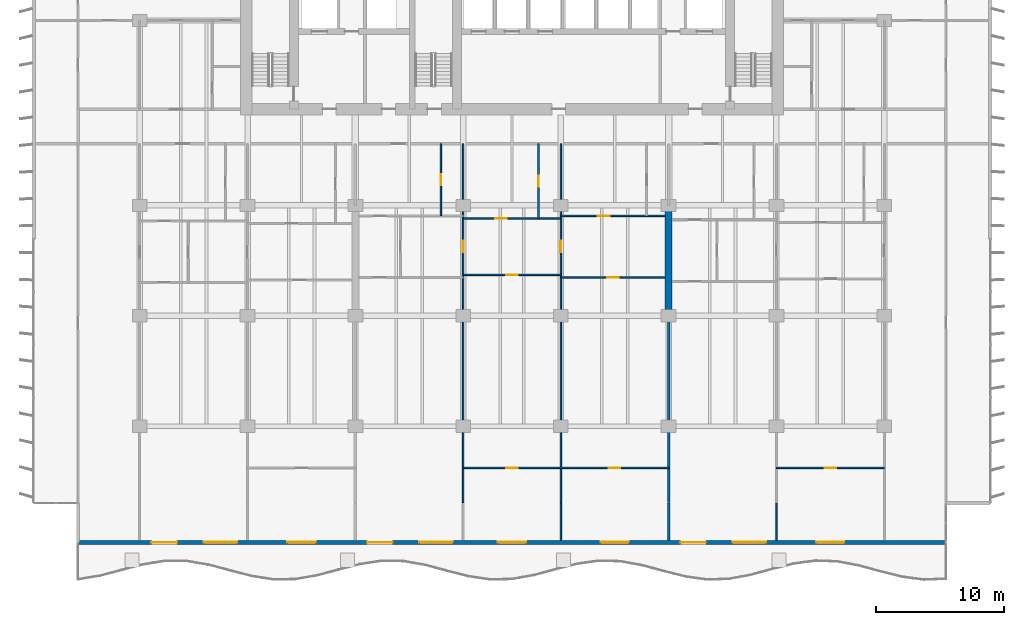
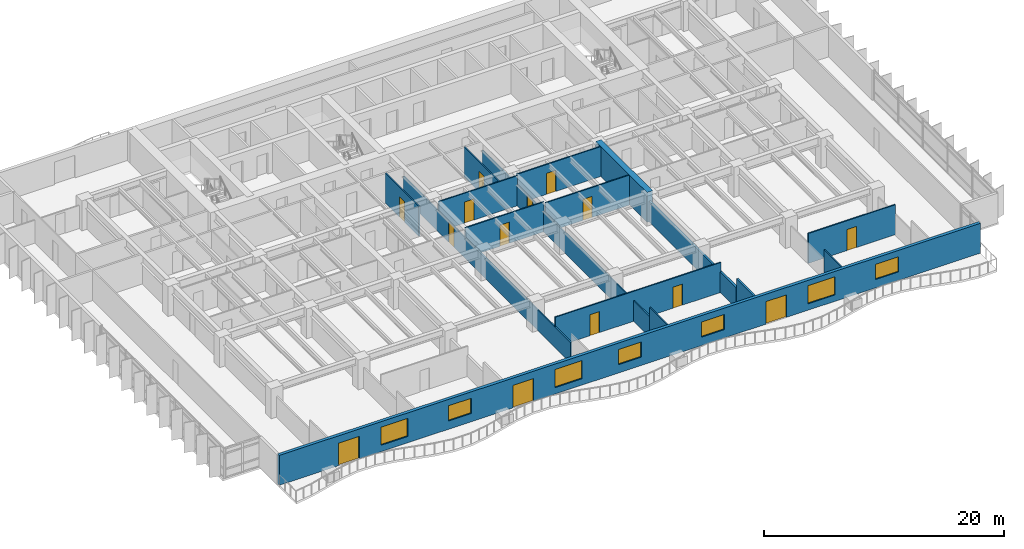
# One storey, part 7 of 16: 16 walls, 14 doors, 7 windows, 21 openings.
"""IFC4 building model written with IfcOpenShell, lengths in metres."""

from ifc_helpers import new_model, si_unit, direction, frame, frame_2d, origin, place, context, subcontext, project, spatial, rectangle, extrude, material, layer, layer_set, type_object, element, fill, save


model = new_model("IFC4")

# Units and contexts
model_context = context("Model", 3, precision=1e-05, world=origin(), true_north=direction((0.0, 1.0)))
body_context = subcontext(model_context, "Body", "Model", "MODEL_VIEW")
ifc_project = project(units=[si_unit("LENGTHUNIT", "METRE"), si_unit("AREAUNIT", "SQUARE_METRE"), si_unit("VOLUMEUNIT", "CUBIC_METRE"), si_unit("PLANEANGLEUNIT", "RADIAN"), si_unit("MASSUNIT", "GRAM", prefix="KILO")], contexts=[model_context])

# Site, building, storey
site_placement = place(None, origin())
site = spatial("IfcSite", under=ifc_project, at=site_placement, CompositionType="ELEMENT")
building_placement = place(site_placement, origin())
building = spatial("IfcBuilding", under=site, at=building_placement, Name="Caelmar Bay Residences", CompositionType="ELEMENT")
storey_placement = place(building_placement, frame((0.0, 0.0, 72.89990234375)))
storey = spatial("IfcBuildingStorey", under=building, at=storey_placement, Name="L19", CompositionType="ELEMENT", Elevation=72.89990234375)

# Wall
ifc_material_1 = material(Name="Concrete f'c 70 MPa (10,000 psi)", Category="concrete")
ifc_layer_1 = layer(ifc_material_1, 0.550048828125)
ifc_layer_set_1 = layer_set([ifc_layer_1], Name="Concrete f'c 70 MPa (10,000 psi)")
wall_type_1 = type_object("IfcWallType", Name="SW-XSLB-550", PredefinedType="SHEAR", material=ifc_layer_set_1)
wall_1_placement = place(storey_placement, frame((51.10009765625, 20.800048828125, 0.0), z_axis=(0.0, 0.0, 1.0), x_axis=(0.0, 1.0, 0.0)))
element("IfcWall", 1, at=wall_1_placement, inside=storey, type_object=wall_type_1, Name="L19 Transverse Cross-Slab Shear Wall E8", PredefinedType="SHEAR", context=body_context, shape_type="SweptSolid", body=[
    extrude(rectangle(XDim=8.599853515625, YDim=0.550048828125, at=frame_2d((4.2998046875, 0.0))), origin(), (0.0, 0.0, 1.0), 3.050048828125),
])

# Wall, openings, doors, windows
ifc_material_2 = material(Name="Precast concrete f'c 40 MPa (6,000 psi)", Category="concrete")
ifc_layer_2 = layer(ifc_material_2, 0.300048828125)
ifc_layer_set_2 = layer_set([ifc_layer_2], Name="Precast concrete f'c 40 MPa (6,000 psi)")
wall_type_2 = type_object("IfcWallType", Name="W-EXT-300", PredefinedType="STANDARD", material=ifc_layer_set_2)
wall_2_placement = place(storey_placement, frame((72.699951171875, 3.14990234375, 0.0), z_axis=(0.0, 0.0, 1.0), x_axis=(-1.0, 0.0, 0.0)))
wall_2 = element("IfcWall", 2, at=wall_2_placement, inside=storey, type_object=wall_type_2, Name="L19 South Bayfront Exterior Wall", PredefinedType="STANDARD", context=body_context, shape_type="SweptSolid", body=[
    extrude(rectangle(XDim=67.599853515625, YDim=0.300048828125, at=frame_2d((33.7998046875, 0.0))), origin(), (0.0, 0.0, 1.0), 3.050048828125),
])
opening_1_placement = place(wall_2_placement, frame((59.889892578125, 0.0, 0.0)))
opening_1 = element("IfcOpeningElement", 3, at=opening_1_placement, cuts=wall_2, Name="Opening L19-BD01", PredefinedType="OPENING", context=body_context, shape_type="SweptSolid", body=[
    extrude(rectangle(XDim=2.0, YDim=2.300048828125, at=frame_2d((1.0, 1.14990234375))), frame((0.0, 0.159912109375, 0.0), z_axis=(0.0, -1.0, 0.0), x_axis=(1.0, 0.0, 0.0)), (0.0, 0.0, 1.0), 0.320068359375),
])
opening_2_placement = place(wall_2_placement, frame((55.2099609375, 0.0, 0.64990234375)))
opening_2 = element("IfcOpeningElement", 4, at=opening_2_placement, cuts=wall_2, Name="Opening WN3", PredefinedType="OPENING", context=body_context, shape_type="SweptSolid", body=[
    extrude(rectangle(XDim=2.60009765625, YDim=1.85009765625, at=frame_2d((1.300048828125, 0.925048828125))), frame((0.0, 0.159912109375, 0.0), z_axis=(0.0, -1.0, 0.0), x_axis=(1.0, 0.0, 0.0)), (0.0, 0.0, 1.0), 0.320068359375),
])
opening_3_placement = place(wall_2_placement, frame((49.10009765625, 0.0, 0.85009765625)))
opening_3 = element("IfcOpeningElement", 5, at=opening_3_placement, cuts=wall_2, Name="Opening WN2", PredefinedType="OPENING", context=body_context, shape_type="SweptSolid", body=[
    extrude(rectangle(XDim=2.199951171875, YDim=1.550048828125, at=frame_2d((1.10009765625, 0.77490234375))), frame((0.0, 0.159912109375, 0.0), z_axis=(0.0, -1.0, 0.0), x_axis=(1.0, 0.0, 0.0)), (0.0, 0.0, 1.0), 0.320068359375),
])
opening_4_placement = place(wall_2_placement, frame((43.090087890625, 0.0, 0.0)))
opening_4 = element("IfcOpeningElement", 6, at=opening_4_placement, cuts=wall_2, Name="Opening L19-BD02", PredefinedType="OPENING", context=body_context, shape_type="SweptSolid", body=[
    extrude(rectangle(XDim=2.0, YDim=2.300048828125, at=frame_2d((1.0, 1.14990234375))), frame((0.0, 0.159912109375, 0.0), z_axis=(0.0, -1.0, 0.0), x_axis=(1.0, 0.0, 0.0)), (0.0, 0.0, 1.0), 0.320068359375),
])
opening_5_placement = place(wall_2_placement, frame((38.409912109375, 0.0, 0.64990234375)))
opening_5 = element("IfcOpeningElement", 7, at=opening_5_placement, cuts=wall_2, Name="Opening WN3", PredefinedType="OPENING", context=body_context, shape_type="SweptSolid", body=[
    extrude(rectangle(XDim=2.60009765625, YDim=1.85009765625, at=frame_2d((1.300048828125, 0.925048828125))), frame((0.0, 0.159912109375, 0.0), z_axis=(0.0, -1.0, 0.0), x_axis=(1.0, 0.0, 0.0)), (0.0, 0.0, 1.0), 0.320068359375),
])
opening_6_placement = place(wall_2_placement, frame((32.699951171875, 0.0, 0.85009765625)))
opening_6 = element("IfcOpeningElement", 8, at=opening_6_placement, cuts=wall_2, Name="Opening WN2", PredefinedType="OPENING", context=body_context, shape_type="SweptSolid", body=[
    extrude(rectangle(XDim=2.199951171875, YDim=1.550048828125, at=frame_2d((1.10009765625, 0.77490234375))), frame((0.0, 0.159912109375, 0.0), z_axis=(0.0, -1.0, 0.0), x_axis=(1.0, 0.0, 0.0)), (0.0, 0.0, 1.0), 0.320068359375),
])
opening_7_placement = place(wall_2_placement, frame((24.699951171875, 0.0, 0.85009765625)))
opening_7 = element("IfcOpeningElement", 9, at=opening_7_placement, cuts=wall_2, Name="Opening WN2", PredefinedType="OPENING", context=body_context, shape_type="SweptSolid", body=[
    extrude(rectangle(XDim=2.199951171875, YDim=1.550048828125, at=frame_2d((1.10009765625, 0.77490234375))), frame((0.0, 0.159912109375, 0.0), z_axis=(0.0, -1.0, 0.0), x_axis=(1.0, 0.0, 0.0)), (0.0, 0.0, 1.0), 0.320068359375),
])
opening_8_placement = place(wall_2_placement, frame((18.68994140625, 0.0, 0.0)))
opening_8 = element("IfcOpeningElement", 10, at=opening_8_placement, cuts=wall_2, Name="Opening L19-BD03", PredefinedType="OPENING", context=body_context, shape_type="SweptSolid", body=[
    extrude(rectangle(XDim=2.0, YDim=2.300048828125, at=frame_2d((1.0, 1.14990234375))), frame((0.0, 0.159912109375, 0.0), z_axis=(0.0, -1.0, 0.0), x_axis=(1.0, 0.0, 0.0)), (0.0, 0.0, 1.0), 0.320068359375),
])
opening_9_placement = place(wall_2_placement, frame((14.010009765625, 0.0, 0.64990234375)))
opening_9 = element("IfcOpeningElement", 11, at=opening_9_placement, cuts=wall_2, Name="Opening WN3", PredefinedType="OPENING", context=body_context, shape_type="SweptSolid", body=[
    extrude(rectangle(XDim=2.60009765625, YDim=1.85009765625, at=frame_2d((1.300048828125, 0.925048828125))), frame((0.0, 0.159912109375, 0.0), z_axis=(0.0, -1.0, 0.0), x_axis=(1.0, 0.0, 0.0)), (0.0, 0.0, 1.0), 0.320068359375),
])
opening_10_placement = place(wall_2_placement, frame((7.89990234375, 0.0, 0.85009765625)))
opening_10 = element("IfcOpeningElement", 12, at=opening_10_placement, cuts=wall_2, Name="Opening WN2", PredefinedType="OPENING", context=body_context, shape_type="SweptSolid", body=[
    extrude(rectangle(XDim=2.199951171875, YDim=1.550048828125, at=frame_2d((1.10009765625, 0.77490234375))), frame((0.0, 0.159912109375, 0.0), z_axis=(0.0, -1.0, 0.0), x_axis=(1.0, 0.0, 0.0)), (0.0, 0.0, 1.0), 0.320068359375),
])
ifc_material_3 = material(Name="Anodised bronze thermally broken sliding glass door", Category="glass")
ifc_layer_3 = layer(ifc_material_3, 0.050048828125)
ifc_layer_set_3 = layer_set([ifc_layer_3], Name="Anodised bronze thermally broken sliding glass door")
door_type_1 = type_object("IfcDoorType", Name="D-BAL-2000", OperationType="DOUBLE_DOOR_SLIDING", PredefinedType="DOOR", material=ifc_layer_set_3)
door_1_placement = place(opening_1_placement, origin())
door_1 = element("IfcDoor", 13, at=door_1_placement, inside=storey, type_object=door_type_1, Name="L19 Residence 01 Penthouse Living Salon Balcony Door", OperationType="DOUBLE_DOOR_SLIDING", OverallHeight=2.300048828125, OverallWidth=2.0, PredefinedType="DOOR", context=body_context, shape_type="SweptSolid", body=[
    extrude(rectangle(XDim=2.0, YDim=2.300048828125, at=frame_2d((1.0, 1.14990234375))), frame((0.0, 0.02490234375, 0.0), z_axis=(0.0, -1.0, 0.0), x_axis=(1.0, 0.0, 0.0)), (0.0, 0.0, 1.0), 0.050048828125),
])
fill(opening_1, door_1)
door_2_placement = place(opening_4_placement, origin())
door_2 = element("IfcDoor", 14, at=door_2_placement, inside=storey, type_object=door_type_1, Name="L19 Residence 02 Penthouse Living Salon Balcony Door", OperationType="DOUBLE_DOOR_SLIDING", OverallHeight=2.300048828125, OverallWidth=2.0, PredefinedType="DOOR", context=body_context, shape_type="SweptSolid", body=[
    extrude(rectangle(XDim=2.0, YDim=2.300048828125, at=frame_2d((1.0, 1.14990234375))), frame((0.0, 0.02490234375, 0.0), z_axis=(0.0, -1.0, 0.0), x_axis=(1.0, 0.0, 0.0)), (0.0, 0.0, 1.0), 0.050048828125),
])
fill(opening_4, door_2)
door_3_placement = place(opening_8_placement, origin())
door_3 = element("IfcDoor", 15, at=door_3_placement, inside=storey, type_object=door_type_1, Name="L19 Residence 03 Penthouse Living Salon Balcony Door", OperationType="DOUBLE_DOOR_SLIDING", OverallHeight=2.300048828125, OverallWidth=2.0, PredefinedType="DOOR", context=body_context, shape_type="SweptSolid", body=[
    extrude(rectangle(XDim=2.0, YDim=2.300048828125, at=frame_2d((1.0, 1.14990234375))), frame((0.0, 0.02490234375, 0.0), z_axis=(0.0, -1.0, 0.0), x_axis=(1.0, 0.0, 0.0)), (0.0, 0.0, 1.0), 0.050048828125),
])
fill(opening_8, door_3)
ifc_material_4 = material(Name="Bronze aluminium frame with laminated low-E glass", Category="aluminium")
ifc_layer_4 = layer(ifc_material_4, 0.06005859375)
ifc_layer_set_4 = layer_set([ifc_layer_4], Name="Bronze aluminium frame with laminated low-E glass")
window_type_1 = type_object("IfcWindowType", Name="WIN-BR-2200", PartitioningType="SINGLE_PANEL", PredefinedType="WINDOW", material=ifc_layer_set_4)
window_1_placement = place(opening_3_placement, origin())
window_1 = element("IfcWindow", 16, at=window_1_placement, inside=storey, type_object=window_type_1, Name="L19 Residence 01 Primary Bedroom 1 Window", OverallHeight=1.550048828125, OverallWidth=2.199951171875, PartitioningType="SINGLE_PANEL", PredefinedType="WINDOW", context=body_context, shape_type="SweptSolid", body=[
    extrude(rectangle(XDim=2.199951171875, YDim=1.550048828125, at=frame_2d((1.10009765625, 0.77490234375))), frame((0.0, 0.030029296875, 0.0), z_axis=(0.0, -1.0, 0.0), x_axis=(1.0, 0.0, 0.0)), (0.0, 0.0, 1.0), 0.06005859375),
])
fill(opening_3, window_1)
window_2_placement = place(opening_6_placement, origin())
window_2 = element("IfcWindow", 17, at=window_2_placement, inside=storey, type_object=window_type_1, Name="L19 Residence 02 Primary Bedroom 1 Window", OverallHeight=1.550048828125, OverallWidth=2.199951171875, PartitioningType="SINGLE_PANEL", PredefinedType="WINDOW", context=body_context, shape_type="SweptSolid", body=[
    extrude(rectangle(XDim=2.199951171875, YDim=1.550048828125, at=frame_2d((1.10009765625, 0.77490234375))), frame((0.0, 0.030029296875, 0.0), z_axis=(0.0, -1.0, 0.0), x_axis=(1.0, 0.0, 0.0)), (0.0, 0.0, 1.0), 0.06005859375),
])
fill(opening_6, window_2)
window_3_placement = place(opening_7_placement, origin())
window_3 = element("IfcWindow", 18, at=window_3_placement, inside=storey, type_object=window_type_1, Name="L19 Residence 02 Primary Bedroom 2 Window", OverallHeight=1.550048828125, OverallWidth=2.199951171875, PartitioningType="SINGLE_PANEL", PredefinedType="WINDOW", context=body_context, shape_type="SweptSolid", body=[
    extrude(rectangle(XDim=2.199951171875, YDim=1.550048828125, at=frame_2d((1.10009765625, 0.77490234375))), frame((0.0, 0.030029296875, 0.0), z_axis=(0.0, -1.0, 0.0), x_axis=(1.0, 0.0, 0.0)), (0.0, 0.0, 1.0), 0.06005859375),
])
fill(opening_7, window_3)
window_4_placement = place(opening_10_placement, origin())
window_4 = element("IfcWindow", 19, at=window_4_placement, inside=storey, type_object=window_type_1, Name="L19 Residence 03 Primary Bedroom 1 Window", OverallHeight=1.550048828125, OverallWidth=2.199951171875, PartitioningType="SINGLE_PANEL", PredefinedType="WINDOW", context=body_context, shape_type="SweptSolid", body=[
    extrude(rectangle(XDim=2.199951171875, YDim=1.550048828125, at=frame_2d((1.10009765625, 0.77490234375))), frame((0.0, 0.030029296875, 0.0), z_axis=(0.0, -1.0, 0.0), x_axis=(1.0, 0.0, 0.0)), (0.0, 0.0, 1.0), 0.06005859375),
])
fill(opening_10, window_4)
ifc_layer_5 = layer(ifc_material_4, 0.06005859375)
ifc_layer_set_5 = layer_set([ifc_layer_5], Name="Bronze aluminium frame with laminated low-E glass")
window_type_2 = type_object("IfcWindowType", Name="WIN-LIV-2600", PartitioningType="SINGLE_PANEL", PredefinedType="WINDOW", material=ifc_layer_set_5)
window_5_placement = place(opening_2_placement, origin())
window_5 = element("IfcWindow", 20, at=window_5_placement, inside=storey, type_object=window_type_2, Name="L19 Residence 01 Penthouse Living Salon Panoramic Window", OverallHeight=1.85009765625, OverallWidth=2.60009765625, PartitioningType="SINGLE_PANEL", PredefinedType="WINDOW", context=body_context, shape_type="SweptSolid", body=[
    extrude(rectangle(XDim=2.60009765625, YDim=1.85009765625, at=frame_2d((1.300048828125, 0.925048828125))), frame((0.0, 0.030029296875, 0.0), z_axis=(0.0, -1.0, 0.0), x_axis=(1.0, 0.0, 0.0)), (0.0, 0.0, 1.0), 0.06005859375),
])
fill(opening_2, window_5)
window_6_placement = place(opening_5_placement, origin())
window_6 = element("IfcWindow", 21, at=window_6_placement, inside=storey, type_object=window_type_2, Name="L19 Residence 02 Penthouse Living Salon Panoramic Window", OverallHeight=1.85009765625, OverallWidth=2.60009765625, PartitioningType="SINGLE_PANEL", PredefinedType="WINDOW", context=body_context, shape_type="SweptSolid", body=[
    extrude(rectangle(XDim=2.60009765625, YDim=1.85009765625, at=frame_2d((1.300048828125, 0.925048828125))), frame((0.0, 0.030029296875, 0.0), z_axis=(0.0, -1.0, 0.0), x_axis=(1.0, 0.0, 0.0)), (0.0, 0.0, 1.0), 0.06005859375),
])
fill(opening_5, window_6)
window_7_placement = place(opening_9_placement, origin())
window_7 = element("IfcWindow", 22, at=window_7_placement, inside=storey, type_object=window_type_2, Name="L19 Residence 03 Penthouse Living Salon Panoramic Window", OverallHeight=1.85009765625, OverallWidth=2.60009765625, PartitioningType="SINGLE_PANEL", PredefinedType="WINDOW", context=body_context, shape_type="SweptSolid", body=[
    extrude(rectangle(XDim=2.60009765625, YDim=1.85009765625, at=frame_2d((1.300048828125, 0.925048828125))), frame((0.0, 0.030029296875, 0.0), z_axis=(0.0, -1.0, 0.0), x_axis=(1.0, 0.0, 0.0)), (0.0, 0.0, 1.0), 0.06005859375),
])
fill(opening_9, window_7)

# Wall, opening, door
ifc_material_5 = material(Name="Acoustic metal-stud gypsum partition 120 mm")
ifc_layer_6 = layer(ifc_material_5, 0.1201171875)
ifc_layer_set_6 = layer_set([ifc_layer_6], Name="Acoustic metal-stud gypsum partition 120 mm")
wall_type_3 = type_object("IfcWallType", Name="W-PRT-120", PredefinedType="PARTITIONING", material=ifc_layer_set_6)
wall_3_placement = place(storey_placement, frame((33.35595703125, 28.580078125, 0.0), z_axis=(0.0, 0.0, 1.0), x_axis=(0.0, 1.0, 0.0)))
wall_3 = element("IfcWall", 23, at=wall_3_placement, inside=storey, type_object=wall_type_3, Name="L19 Partition Wall V021", PredefinedType="PARTITIONING", context=body_context, shape_type="SweptSolid", body=[
    extrude(rectangle(XDim=5.619873046875, YDim=0.1201171875, at=frame_2d((2.81005859375, 0.0))), origin(), (0.0, 0.0, 1.0), 3.050048828125),
])
opening_11_placement = place(wall_3_placement, frame((2.385009765625, 0.0, 0.0)))
opening_11 = element("IfcOpeningElement", 24, at=opening_11_placement, cuts=wall_3, Name="Opening D-L19-131", PredefinedType="OPENING", context=body_context, shape_type="SweptSolid", body=[
    extrude(rectangle(XDim=0.85009765625, YDim=2.10009765625, at=frame_2d((0.425048828125, 1.050048828125))), frame((0.0, 0.070068359375, 0.0), z_axis=(0.0, -1.0, 0.0), x_axis=(1.0, 0.0, 0.0)), (0.0, 0.0, 1.0), 0.14013671875),
])
ifc_material_6 = material(Name="Solid walnut timber interior door leaf and frame", Category="wood")
ifc_layer_7 = layer(ifc_material_6, 0.050048828125)
ifc_layer_set_7 = layer_set([ifc_layer_7], Name="Solid walnut timber interior door leaf and frame")
door_type_2 = type_object("IfcDoorType", Name="D-BATH-850", OperationType="NOTDEFINED", PredefinedType="DOOR", material=ifc_layer_set_7)
door_4_placement = place(opening_11_placement, origin())
door_4 = element("IfcDoor", 25, at=door_4_placement, inside=storey, type_object=door_type_2, Name="L19 Residence 02 Guest Bathroom Door", OperationType="SINGLE_SWING_RIGHT", OverallHeight=2.10009765625, OverallWidth=0.85009765625, PredefinedType="DOOR", context=body_context, shape_type="SweptSolid", body=[
    extrude(rectangle(XDim=0.85009765625, YDim=2.10009765625, at=frame_2d((0.425048828125, 1.050048828125))), frame((0.0, 0.02490234375, 0.0), z_axis=(0.0, -1.0, 0.0), x_axis=(1.0, 0.0, 0.0)), (0.0, 0.0, 1.0), 0.050048828125),
])
fill(opening_11, door_4)

wall_4_placement = place(storey_placement, frame((35.10009765625, 6.239990234375, 0.0), z_axis=(0.0, 0.0, 1.0), x_axis=(0.0, 1.0, 0.0)))
wall_4 = element("IfcWall", 26, at=wall_4_placement, inside=storey, type_object=wall_type_3, Name="L19 Partition Wall V023", PredefinedType="PARTITIONING", context=body_context, shape_type="SweptSolid", body=[
    extrude(rectangle(XDim=27.9599609375, YDim=0.1201171875, at=frame_2d((13.97998046875, 0.0))), origin(), (0.0, 0.0, 1.0), 2.110107421875),
])
opening_12_placement = place(wall_4_placement, frame((19.489990234375, 0.0, 0.0)))
opening_12 = element("IfcOpeningElement", 27, at=opening_12_placement, cuts=wall_4, Name="Opening D-L19-135", PredefinedType="OPENING", context=body_context, shape_type="SweptSolid", body=[
    extrude(rectangle(XDim=0.89990234375, YDim=2.06005859375, at=frame_2d((0.449951171875, 1.030029296875))), frame((0.0, 0.070068359375, 0.0), z_axis=(0.0, -1.0, 0.0), x_axis=(1.0, 0.0, 0.0)), (0.0, 0.0, 1.0), 0.14013671875),
])
ifc_layer_8 = layer(ifc_material_6, 0.050048828125)
ifc_layer_set_8 = layer_set([ifc_layer_8], Name="Solid walnut timber interior door leaf and frame")
door_type_3 = type_object("IfcDoorType", Name="D-ROOM-900", OperationType="NOTDEFINED", PredefinedType="DOOR", material=ifc_layer_set_8)
door_5_placement = place(opening_12_placement, origin())
door_5 = element("IfcDoor", 28, at=door_5_placement, inside=storey, type_object=door_type_3, Name="L19 Residence 02 Reception Lounge 1 Door", OperationType="SINGLE_SWING_RIGHT", OverallHeight=2.06005859375, OverallWidth=0.89990234375, PredefinedType="DOOR", context=body_context, shape_type="SweptSolid", body=[
    extrude(rectangle(XDim=0.89990234375, YDim=2.06005859375, at=frame_2d((0.449951171875, 1.030029296875))), frame((0.0, 0.02490234375, 0.0), z_axis=(0.0, -1.0, 0.0), x_axis=(1.0, 0.0, 0.0)), (0.0, 0.0, 1.0), 0.050048828125),
])
fill(opening_12, door_5)

wall_5_placement = place(storey_placement, frame((40.965087890625, 28.3798828125, 0.0), z_axis=(0.0, 0.0, 1.0), x_axis=(0.0, 1.0, 0.0)))
wall_5 = element("IfcWall", 29, at=wall_5_placement, inside=storey, type_object=wall_type_3, Name="L19 Partition Wall V027", PredefinedType="PARTITIONING", context=body_context, shape_type="SweptSolid", body=[
    extrude(rectangle(XDim=5.820068359375, YDim=0.1201171875, at=frame_2d((2.91015625, 0.0))), origin(), (0.0, 0.0, 1.0), 3.050048828125),
])
opening_13_placement = place(wall_5_placement, frame((2.485107421875, 0.0, 0.0)))
opening_13 = element("IfcOpeningElement", 30, at=opening_13_placement, cuts=wall_5, Name="Opening D-L19-137", PredefinedType="OPENING", context=body_context, shape_type="SweptSolid", body=[
    extrude(rectangle(XDim=0.85009765625, YDim=2.10009765625, at=frame_2d((0.425048828125, 1.050048828125))), frame((0.0, 0.070068359375, 0.0), z_axis=(0.0, -1.0, 0.0), x_axis=(1.0, 0.0, 0.0)), (0.0, 0.0, 1.0), 0.14013671875),
])
door_6_placement = place(opening_13_placement, origin())
door_6 = element("IfcDoor", 31, at=door_6_placement, inside=storey, type_object=door_type_2, Name="L19 Residence 02 En-Suite Bathroom 1 Door", OperationType="SINGLE_SWING_RIGHT", OverallHeight=2.10009765625, OverallWidth=0.85009765625, PredefinedType="DOOR", context=body_context, shape_type="SweptSolid", body=[
    extrude(rectangle(XDim=0.85009765625, YDim=2.10009765625, at=frame_2d((0.425048828125, 1.050048828125))), frame((0.0, 0.02490234375, 0.0), z_axis=(0.0, -1.0, 0.0), x_axis=(1.0, 0.0, 0.0)), (0.0, 0.0, 1.0), 0.050048828125),
])
fill(opening_13, door_6)

# Wall
wall_6_placement = place(storey_placement, frame((42.699951171875, 3.294921875, 0.0), z_axis=(0.0, 0.0, 1.0), x_axis=(0.0, 1.0, 0.0)))
element("IfcWall", 32, at=wall_6_placement, inside=storey, type_object=wall_type_3, Name="L19 Partition Wall V028", PredefinedType="PARTITIONING", context=body_context, shape_type="SweptSolid", body=[
    extrude(rectangle(XDim=2.905029296875, YDim=0.1201171875, at=frame_2d((1.45263671875, 0.0))), origin(), (0.0, 0.0, 1.0), 3.050048828125),
])

# Wall, opening, door
wall_7_placement = place(storey_placement, frame((42.699951171875, 6.239990234375, 0.0), z_axis=(0.0, 0.0, 1.0), x_axis=(0.0, 1.0, 0.0)))
wall_7 = element("IfcWall", 33, at=wall_7_placement, inside=storey, type_object=wall_type_3, Name="L19 Partition Wall V029", PredefinedType="PARTITIONING", context=body_context, shape_type="SweptSolid", body=[
    extrude(rectangle(XDim=27.9599609375, YDim=0.1201171875, at=frame_2d((13.97998046875, 0.0))), origin(), (0.0, 0.0, 1.0), 2.110107421875),
])
opening_14_placement = place(wall_7_placement, frame((19.489990234375, 0.0, 0.0)))
opening_14 = element("IfcOpeningElement", 34, at=opening_14_placement, cuts=wall_7, Name="Opening D-L19-140", PredefinedType="OPENING", context=body_context, shape_type="SweptSolid", body=[
    extrude(rectangle(XDim=0.89990234375, YDim=2.06005859375, at=frame_2d((0.449951171875, 1.030029296875))), frame((0.0, 0.070068359375, 0.0), z_axis=(0.0, -1.0, 0.0), x_axis=(1.0, 0.0, 0.0)), (0.0, 0.0, 1.0), 0.14013671875),
])
door_7_placement = place(opening_14_placement, origin())
door_7 = element("IfcDoor", 35, at=door_7_placement, inside=storey, type_object=door_type_3, Name="L19 Residence 02 Reception Lounge 2 Door", OperationType="SINGLE_SWING_LEFT", OverallHeight=2.06005859375, OverallWidth=0.89990234375, PredefinedType="DOOR", context=body_context, shape_type="SweptSolid", body=[
    extrude(rectangle(XDim=0.89990234375, YDim=2.06005859375, at=frame_2d((0.449951171875, 1.030029296875))), frame((0.0, 0.02490234375, 0.0), z_axis=(0.0, -1.0, 0.0), x_axis=(1.0, 0.0, 0.0)), (0.0, 0.0, 1.0), 0.050048828125),
])
fill(opening_14, door_7)

# Wall
wall_8_placement = place(storey_placement, frame((59.5, 3.294921875, 0.0), z_axis=(0.0, 0.0, 1.0), x_axis=(0.0, 1.0, 0.0)))
element("IfcWall", 36, at=wall_8_placement, inside=storey, type_object=wall_type_3, Name="L19 Partition Wall V043", PredefinedType="PARTITIONING", context=body_context, shape_type="SweptSolid", body=[
    extrude(rectangle(XDim=2.905029296875, YDim=0.1201171875, at=frame_2d((1.45263671875, 0.0))), origin(), (0.0, 0.0, 1.0), 3.050048828125),
])

# Wall, openings, doors
wall_9_placement = place(storey_placement, frame((35.10009765625, 8.949951171875, 0.0), z_axis=(0.0, 0.0, 1.0), x_axis=(1.0, 0.0, 0.0)))
wall_9 = element("IfcWall", 37, at=wall_9_placement, inside=storey, type_object=wall_type_3, Name="L19 Partition Wall H054", PredefinedType="PARTITIONING", context=body_context, shape_type="SweptSolid", body=[
    extrude(rectangle(XDim=16.0, YDim=0.1201171875, at=frame_2d((8.0, 0.0))), origin(), (0.0, 0.0, 1.0), 3.050048828125),
])
opening_15_placement = place(wall_9_placement, frame((3.35009765625, 0.0, 0.0)))
opening_15 = element("IfcOpeningElement", 38, at=opening_15_placement, cuts=wall_9, Name="Opening D-L19-139", PredefinedType="OPENING", context=body_context, shape_type="SweptSolid", body=[
    extrude(rectangle(XDim=0.89990234375, YDim=2.14990234375, at=frame_2d((0.449951171875, 1.074951171875))), frame((0.0, 0.070068359375, 0.0), z_axis=(0.0, -1.0, 0.0), x_axis=(1.0, 0.0, 0.0)), (0.0, 0.0, 1.0), 0.14013671875),
])
opening_16_placement = place(wall_9_placement, frame((11.35009765625, 0.0, 0.0)))
opening_16 = element("IfcOpeningElement", 39, at=opening_16_placement, cuts=wall_9, Name="Opening D-L19-144", PredefinedType="OPENING", context=body_context, shape_type="SweptSolid", body=[
    extrude(rectangle(XDim=0.89990234375, YDim=2.14990234375, at=frame_2d((0.449951171875, 1.074951171875))), frame((0.0, 0.070068359375, 0.0), z_axis=(0.0, -1.0, 0.0), x_axis=(1.0, 0.0, 0.0)), (0.0, 0.0, 1.0), 0.14013671875),
])
door_8_placement = place(opening_15_placement, origin())
door_8 = element("IfcDoor", 40, at=door_8_placement, inside=storey, type_object=door_type_3, Name="L19 Residence 02 Primary Bedroom 1 Door", OperationType="SINGLE_SWING_RIGHT", OverallHeight=2.14990234375, OverallWidth=0.89990234375, PredefinedType="DOOR", context=body_context, shape_type="SweptSolid", body=[
    extrude(rectangle(XDim=0.89990234375, YDim=2.14990234375, at=frame_2d((0.449951171875, 1.074951171875))), frame((0.0, 0.02490234375, 0.0), z_axis=(0.0, -1.0, 0.0), x_axis=(1.0, 0.0, 0.0)), (0.0, 0.0, 1.0), 0.050048828125),
])
fill(opening_15, door_8)
door_9_placement = place(opening_16_placement, origin())
door_9 = element("IfcDoor", 41, at=door_9_placement, inside=storey, type_object=door_type_3, Name="L19 Residence 02 Primary Bedroom 2 Door", OperationType="SINGLE_SWING_LEFT", OverallHeight=2.14990234375, OverallWidth=0.89990234375, PredefinedType="DOOR", context=body_context, shape_type="SweptSolid", body=[
    extrude(rectangle(XDim=0.89990234375, YDim=2.14990234375, at=frame_2d((0.449951171875, 1.074951171875))), frame((0.0, 0.02490234375, 0.0), z_axis=(0.0, -1.0, 0.0), x_axis=(1.0, 0.0, 0.0)), (0.0, 0.0, 1.0), 0.050048828125),
])
fill(opening_16, door_9)

# Wall, opening, door
wall_10_placement = place(storey_placement, frame((59.5, 8.949951171875, 0.0), z_axis=(0.0, 0.0, 1.0), x_axis=(1.0, 0.0, 0.0)))
wall_10 = element("IfcWall", 42, at=wall_10_placement, inside=storey, type_object=wall_type_3, Name="L19 Partition Wall H055", PredefinedType="PARTITIONING", context=body_context, shape_type="SweptSolid", body=[
    extrude(rectangle(XDim=8.39990234375, YDim=0.1201171875, at=frame_2d((4.199951171875, 0.0))), origin(), (0.0, 0.0, 1.0), 3.050048828125),
])
opening_17_placement = place(wall_10_placement, frame((3.75, 0.0, 0.0)))
opening_17 = element("IfcOpeningElement", 43, at=opening_17_placement, cuts=wall_10, Name="Opening D-L19-154", PredefinedType="OPENING", context=body_context, shape_type="SweptSolid", body=[
    extrude(rectangle(XDim=0.89990234375, YDim=2.14990234375, at=frame_2d((0.449951171875, 1.074951171875))), frame((0.0, 0.070068359375, 0.0), z_axis=(0.0, -1.0, 0.0), x_axis=(1.0, 0.0, 0.0)), (0.0, 0.0, 1.0), 0.14013671875),
])
door_10_placement = place(opening_17_placement, origin())
door_10 = element("IfcDoor", 44, at=door_10_placement, inside=storey, type_object=door_type_3, Name="L19 Residence 03 Primary Bedroom 1 Door", OperationType="SINGLE_SWING_LEFT", OverallHeight=2.14990234375, OverallWidth=0.89990234375, PredefinedType="DOOR", context=body_context, shape_type="SweptSolid", body=[
    extrude(rectangle(XDim=0.89990234375, YDim=2.14990234375, at=frame_2d((0.449951171875, 1.074951171875))), frame((0.0, 0.02490234375, 0.0), z_axis=(0.0, -1.0, 0.0), x_axis=(1.0, 0.0, 0.0)), (0.0, 0.0, 1.0), 0.050048828125),
])
fill(opening_17, door_10)

wall_11_placement = place(storey_placement, frame((42.699951171875, 23.780029296875, 0.0), z_axis=(0.0, 0.0, 1.0), x_axis=(1.0, 0.0, 0.0)))
wall_11 = element("IfcWall", 45, at=wall_11_placement, inside=storey, type_object=wall_type_3, Name="L19 Partition Wall H061", PredefinedType="PARTITIONING", context=body_context, shape_type="SweptSolid", body=[
    extrude(rectangle(XDim=8.130126953125, YDim=0.1201171875, at=frame_2d((4.06494140625, 0.0))), origin(), (0.0, 0.0, 1.0), 3.050048828125),
])
opening_18_placement = place(wall_11_placement, frame((3.614990234375, 0.0, 0.0)))
opening_18 = element("IfcOpeningElement", 46, at=opening_18_placement, cuts=wall_11, Name="Opening D-L19-143", PredefinedType="OPENING", context=body_context, shape_type="SweptSolid", body=[
    extrude(rectangle(XDim=0.89990234375, YDim=2.14990234375, at=frame_2d((0.449951171875, 1.074951171875))), frame((0.0, 0.070068359375, 0.0), z_axis=(0.0, -1.0, 0.0), x_axis=(1.0, 0.0, 0.0)), (0.0, 0.0, 1.0), 0.14013671875),
])
door_11_placement = place(opening_18_placement, origin())
door_11 = element("IfcDoor", 47, at=door_11_placement, inside=storey, type_object=door_type_3, Name="L19 Residence 02 Penthouse Sitting Salon 2 Door", OperationType="SINGLE_SWING_RIGHT", OverallHeight=2.14990234375, OverallWidth=0.89990234375, PredefinedType="DOOR", context=body_context, shape_type="SweptSolid", body=[
    extrude(rectangle(XDim=0.89990234375, YDim=2.14990234375, at=frame_2d((0.449951171875, 1.074951171875))), frame((0.0, 0.02490234375, 0.0), z_axis=(0.0, -1.0, 0.0), x_axis=(1.0, 0.0, 0.0)), (0.0, 0.0, 1.0), 0.050048828125),
])
fill(opening_18, door_11)

wall_12_placement = place(storey_placement, frame((35.10498046875, 23.97998046875, 0.0), z_axis=(0.0, 0.0, 1.0), x_axis=(1.0, 0.0, 0.0)))
wall_12 = element("IfcWall", 48, at=wall_12_placement, inside=storey, type_object=wall_type_3, Name="L19 Partition Wall H062", PredefinedType="PARTITIONING", context=body_context, shape_type="SweptSolid", body=[
    extrude(rectangle(XDim=7.590087890625, YDim=0.1201171875, at=frame_2d((3.794921875, 0.0))), origin(), (0.0, 0.0, 1.0), 3.050048828125),
])
opening_19_placement = place(wall_12_placement, frame((3.344970703125, 0.0, 0.0)))
opening_19 = element("IfcOpeningElement", 49, at=opening_19_placement, cuts=wall_12, Name="Opening D-L19-138", PredefinedType="OPENING", context=body_context, shape_type="SweptSolid", body=[
    extrude(rectangle(XDim=0.89990234375, YDim=2.14990234375, at=frame_2d((0.449951171875, 1.074951171875))), frame((0.0, 0.070068359375, 0.0), z_axis=(0.0, -1.0, 0.0), x_axis=(1.0, 0.0, 0.0)), (0.0, 0.0, 1.0), 0.14013671875),
])
door_12_placement = place(opening_19_placement, origin())
door_12 = element("IfcDoor", 50, at=door_12_placement, inside=storey, type_object=door_type_3, Name="L19 Residence 02 Penthouse Sitting Salon 1 Door", OperationType="SINGLE_SWING_LEFT", OverallHeight=2.14990234375, OverallWidth=0.89990234375, PredefinedType="DOOR", context=body_context, shape_type="SweptSolid", body=[
    extrude(rectangle(XDim=0.89990234375, YDim=2.14990234375, at=frame_2d((0.449951171875, 1.074951171875))), frame((0.0, 0.02490234375, 0.0), z_axis=(0.0, -1.0, 0.0), x_axis=(1.0, 0.0, 0.0)), (0.0, 0.0, 1.0), 0.050048828125),
])
fill(opening_19, door_12)

wall_13_placement = place(storey_placement, frame((35.10009765625, 28.3798828125, 0.0), z_axis=(0.0, 0.0, 1.0), x_axis=(1.0, 0.0, 0.0)))
wall_13 = element("IfcWall", 51, at=wall_13_placement, inside=storey, type_object=wall_type_3, Name="L19 Partition Wall H067", PredefinedType="PARTITIONING", context=body_context, shape_type="SweptSolid", body=[
    extrude(rectangle(XDim=7.599853515625, YDim=0.1201171875, at=frame_2d((3.7998046875, 0.0))), origin(), (0.0, 0.0, 1.0), 3.050048828125),
])
opening_20_placement = place(wall_13_placement, frame((2.482421875, 0.0, 0.0)))
opening_20 = element("IfcOpeningElement", 52, at=opening_20_placement, cuts=wall_13, Name="Opening D-L19-136", PredefinedType="OPENING", context=body_context, shape_type="SweptSolid", body=[
    extrude(rectangle(XDim=0.89990234375, YDim=2.14990234375, at=frame_2d((0.449951171875, 1.074951171875))), frame((0.0, 0.070068359375, 0.0), z_axis=(0.0, -1.0, 0.0), x_axis=(1.0, 0.0, 0.0)), (0.0, 0.0, 1.0), 0.14013671875),
])
door_13_placement = place(opening_20_placement, origin())
door_13 = element("IfcDoor", 53, at=door_13_placement, inside=storey, type_object=door_type_3, Name="L19 Residence 02 Private Reception Room 1 Door", OperationType="SINGLE_SWING_LEFT", OverallHeight=2.14990234375, OverallWidth=0.89990234375, PredefinedType="DOOR", context=body_context, shape_type="SweptSolid", body=[
    extrude(rectangle(XDim=0.89990234375, YDim=2.14990234375, at=frame_2d((0.449951171875, 1.074951171875))), frame((0.0, 0.02490234375, 0.0), z_axis=(0.0, -1.0, 0.0), x_axis=(1.0, 0.0, 0.0)), (0.0, 0.0, 1.0), 0.050048828125),
])
fill(opening_20, door_13)

wall_14_placement = place(storey_placement, frame((42.705078125, 28.580078125, 0.0), z_axis=(0.0, 0.0, 1.0), x_axis=(1.0, 0.0, 0.0)))
wall_14 = element("IfcWall", 54, at=wall_14_placement, inside=storey, type_object=wall_type_3, Name="L19 Partition Wall H069", PredefinedType="PARTITIONING", context=body_context, shape_type="SweptSolid", body=[
    extrude(rectangle(XDim=8.125, YDim=0.1201171875, at=frame_2d((4.0625, 0.0))), origin(), (0.0, 0.0, 1.0), 3.050048828125),
])
opening_21_placement = place(wall_14_placement, frame((2.8935546875, 0.0, 0.0)))
opening_21 = element("IfcOpeningElement", 55, at=opening_21_placement, cuts=wall_14, Name="Opening D-L19-141", PredefinedType="OPENING", context=body_context, shape_type="SweptSolid", body=[
    extrude(rectangle(XDim=0.89990234375, YDim=2.14990234375, at=frame_2d((0.449951171875, 1.074951171875))), frame((0.0, 0.070068359375, 0.0), z_axis=(0.0, -1.0, 0.0), x_axis=(1.0, 0.0, 0.0)), (0.0, 0.0, 1.0), 0.14013671875),
])
door_14_placement = place(opening_21_placement, origin())
door_14 = element("IfcDoor", 56, at=door_14_placement, inside=storey, type_object=door_type_3, Name="L19 Residence 02 Private Reception Room 2 Door", OperationType="SINGLE_SWING_RIGHT", OverallHeight=2.14990234375, OverallWidth=0.89990234375, PredefinedType="DOOR", context=body_context, shape_type="SweptSolid", body=[
    extrude(rectangle(XDim=0.89990234375, YDim=2.14990234375, at=frame_2d((0.449951171875, 1.074951171875))), frame((0.0, 0.02490234375, 0.0), z_axis=(0.0, -1.0, 0.0), x_axis=(1.0, 0.0, 0.0)), (0.0, 0.0, 1.0), 0.050048828125),
])
fill(opening_21, door_14)

# Walls
ifc_material_7 = material(Name="Acoustic twin-stud fire-rated inter-tenancy partition 200 mm")
ifc_layer_9 = layer(ifc_material_7, 0.199951171875)
ifc_layer_set_9 = layer_set([ifc_layer_9], Name="Acoustic twin-stud fire-rated inter-tenancy partition 200 mm")
wall_type_4 = type_object("IfcWallType", Name="W-PTY-200", PredefinedType="PARTITIONING", material=ifc_layer_set_9)
wall_15_placement = place(storey_placement, frame((51.10009765625, 3.294921875, 0.0), z_axis=(0.0, 0.0, 1.0), x_axis=(0.0, 1.0, 0.0)))
element("IfcWall", 57, at=wall_15_placement, inside=storey, type_object=wall_type_4, Name="L19 Partition Wall V036", PredefinedType="PARTITIONING", context=body_context, shape_type="SweptSolid", body=[
    extrude(rectangle(XDim=2.905029296875, YDim=0.199951171875, at=frame_2d((1.45263671875, 0.0))), origin(), (0.0, 0.0, 1.0), 3.050048828125),
])
wall_16_placement = place(storey_placement, frame((51.10009765625, 6.239990234375, 0.0), z_axis=(0.0, 0.0, 1.0), x_axis=(0.0, 1.0, 0.0)))
element("IfcWall", 58, at=wall_16_placement, inside=storey, type_object=wall_type_4, Name="L19 Partition Wall V037", PredefinedType="PARTITIONING", context=body_context, shape_type="SweptSolid", body=[
    extrude(rectangle(XDim=14.554931640625, YDim=0.199951171875, at=frame_2d((7.27734375, 0.0))), origin(), (0.0, 0.0, 1.0), 2.110107421875),
])

save(model, "model.ifc")
